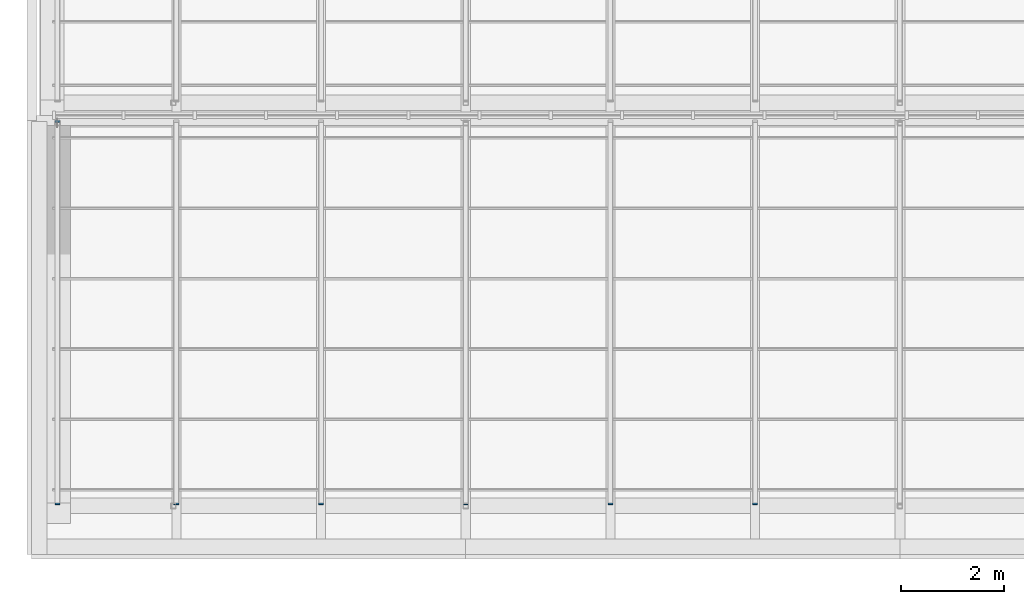
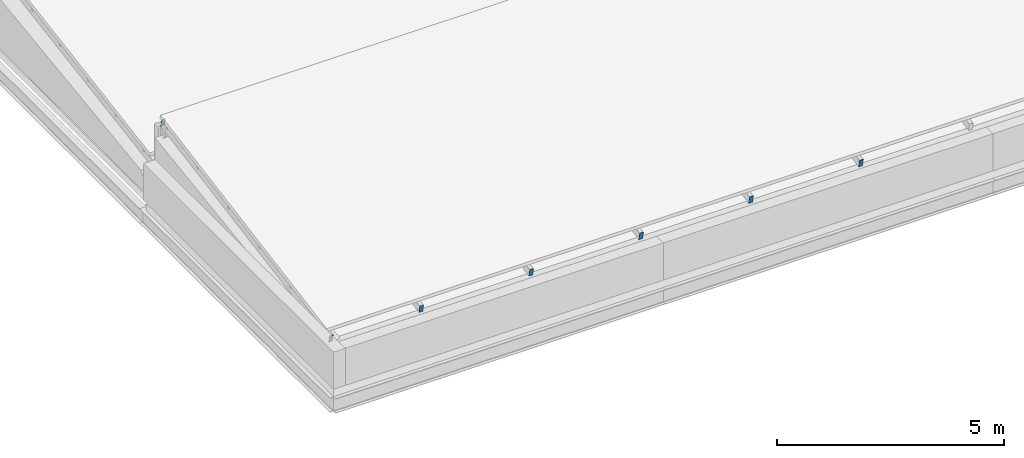
# One storey, part 24 of 33: 7 discrete accessories.
"""IFC4 building model written with IfcOpenShell, lengths in metres."""

from ifc_helpers import new_model, si_unit, direction, frame, origin, origin_2d, place, context, subcontext, project, spatial, rectangle, extrude, material, material_profile, profile_set, type_object, element, save


model = new_model("IFC4")

# Units and contexts
model_context = context("Model", 3, precision=1e-05, world=origin(), true_north=direction((0.0, 1.0)))
body_context = subcontext(model_context, "Body", "Model", "MODEL_VIEW")
ifc_project = project(units=[si_unit("LENGTHUNIT", "METRE"), si_unit("AREAUNIT", "SQUARE_METRE"), si_unit("VOLUMEUNIT", "CUBIC_METRE"), si_unit("PLANEANGLEUNIT", "RADIAN"), si_unit("MASSUNIT", "GRAM", prefix="KILO")], contexts=[model_context])

# Site, building, storey
site_placement = place(None, origin())
site = spatial("IfcSite", under=ifc_project, at=site_placement, CompositionType="ELEMENT")
building_placement = place(site_placement, origin())
building = spatial("IfcBuilding", under=site, at=building_placement, Name="Ardhachandra Cancer Care Centre", CompositionType="ELEMENT")
storey_placement = place(building_placement, frame((0.0, 0.0, 27.0)))
storey = spatial("IfcBuildingStorey", under=building, at=storey_placement, Name="Roof", CompositionType="ELEMENT", Elevation=27.0)

# Discrete accessories
ifc_material = material(Name="Galvanised flat steel (Steel E250 (IS 2062))", Category="steel")
ifc_material_profile = material_profile(ifc_material, rectangle(XDim=0.10009765625, YDim=0.199951171875, at=origin_2d()), Name="Rafter end plate 200 x 100 x 8")
ifc_profile_set = profile_set([ifc_material_profile], Name="Galvanised flat steel (Steel E250 (IS 2062))")
discrete_accessory_type = type_object("IfcDiscreteAccessoryType", Name="Rafter end plate 200 x 100 x 8", PredefinedType="BRACKET", material=ifc_profile_set)
discrete_accessory_1_placement = place(storey_placement, frame((112.10009765625, 80.782470703125, 0.598388671875), z_axis=(0.0, -0.982872186934, -0.18428853505), x_axis=(1.0, 0.0, 0.0)))
element("IfcDiscreteAccessory", 1, at=discrete_accessory_1_placement, inside=storey, type_object=discrete_accessory_type, Name="Rafter end plate ST1a.1.1", PredefinedType="BRACKET", context=body_context, shape_type="SweptSolid", body=[
    extrude(rectangle(XDim=0.10009765625, YDim=0.199951171875, at=origin_2d()), origin(), (0.0, 0.0, 1.0), 0.008056640625),
])
discrete_accessory_2_placement = place(storey_placement, frame((112.10009765625, 88.182373046875, 1.91845703125), z_axis=(0.0, 0.9838699101, 0.1788854382), x_axis=(-1.0, 0.0, 0.0)))
element("IfcDiscreteAccessory", 2, at=discrete_accessory_2_placement, inside=storey, type_object=discrete_accessory_type, Name="Rafter end plate ST1a.1.2", PredefinedType="BRACKET", context=body_context, shape_type="SweptSolid", body=[
    extrude(rectangle(XDim=0.10009765625, YDim=0.199951171875, at=origin_2d()), origin(), (0.0, 0.0, 1.0), 0.00830078125),
])
for number, where, z_axis, x_axis, name in (
    (3, (114.39990234375, 80.782470703125, 0.598388671875), (0.0, -0.982872186934, -0.18428853505), (1.0, 0.0, 0.0), "Rafter end plate ST1a.2.1"),
    (4, (117.199951171875, 80.782470703125, 0.598388671875), (0.0, -0.982872186934, -0.18428853505), (1.0, 0.0, 0.0), "Rafter end plate ST1a.3.1"),
    (5, (120.0, 80.782470703125, 0.598388671875), (0.0, -0.982872186934, -0.18428853505), (1.0, 0.0, 0.0), "Rafter end plate ST1a.4.1"),
    (6, (122.800048828125, 80.782470703125, 0.598388671875), (0.0, -0.982872186934, -0.18428853505), (1.0, 0.0, 0.0), "Rafter end plate ST1a.5.1"),
    (7, (125.60009765625, 80.782470703125, 0.598388671875), (0.0, -0.982872186934, -0.18428853505), (1.0, 0.0, 0.0), "Rafter end plate ST1a.6.1"),
):
    element("IfcDiscreteAccessory", number, at=place(storey_placement, frame(where, z_axis=z_axis, x_axis=x_axis)), inside=storey, type_object=discrete_accessory_type, Name=name, PredefinedType="BRACKET", context=body_context, shape_type="SweptSolid", body=[
        extrude(rectangle(XDim=0.10009765625, YDim=0.199951171875, at=origin_2d()), origin(), (0.0, 0.0, 1.0), 0.008056640625),
    ])

save(model, "model.ifc")
